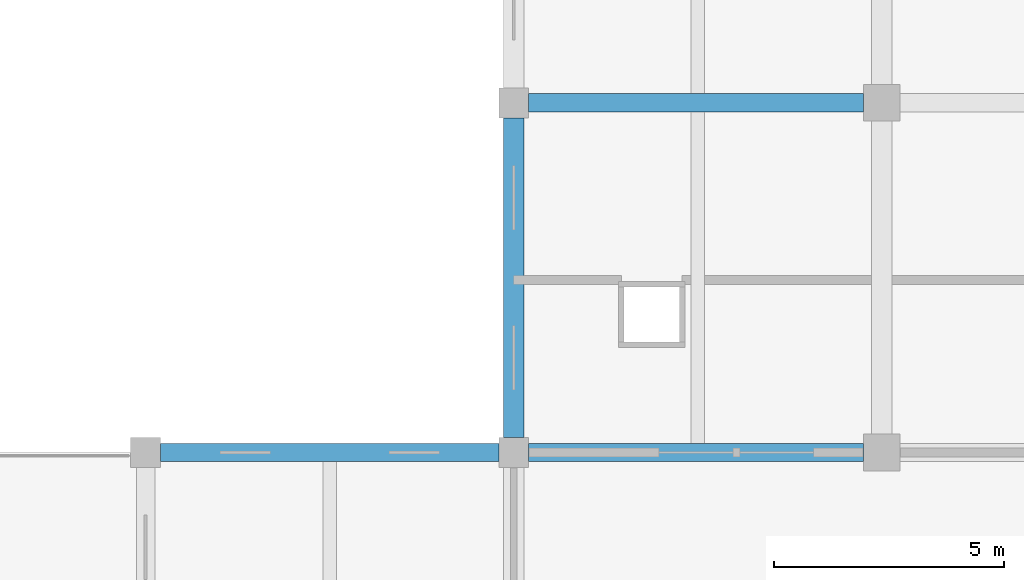
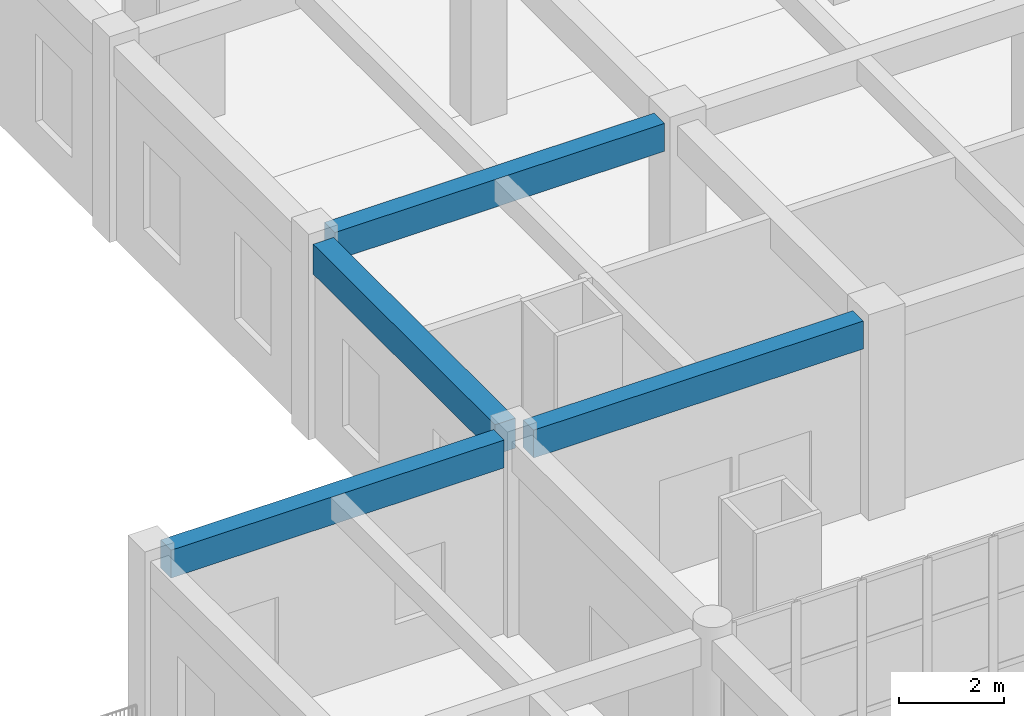
# One storey, part 33 of 101: 4 beams.
"""IFC4 building model written with IfcOpenShell, lengths in metres."""

from ifc_helpers import new_model, si_unit, direction, frame, origin, origin_2d, place, context, subcontext, project, spatial, rectangle, extrude, material, material_profile, profile_set, type_object, element, save


model = new_model("IFC4")

# Units and contexts
model_context = context("Model", 3, precision=1e-05, world=origin(), true_north=direction((0.0, 1.0)))
body_context = subcontext(model_context, "Body", "Model", "MODEL_VIEW")
ifc_project = project(units=[si_unit("LENGTHUNIT", "METRE"), si_unit("AREAUNIT", "SQUARE_METRE"), si_unit("VOLUMEUNIT", "CUBIC_METRE"), si_unit("PLANEANGLEUNIT", "RADIAN"), si_unit("MASSUNIT", "GRAM", prefix="KILO")], contexts=[model_context])

# Site, building, storey
site_placement = place(None, origin())
site = spatial("IfcSite", under=ifc_project, at=site_placement, CompositionType="ELEMENT")
building_placement = place(site_placement, origin())
building = spatial("IfcBuilding", under=site, at=building_placement, Name="Zantavel Square City Hall", CompositionType="ELEMENT")
storey_placement = place(building_placement, frame((0.0, 0.0, 5.39990234375)))
storey = spatial("IfcBuildingStorey", under=building, at=storey_placement, Name="L02", CompositionType="ELEMENT", Elevation=5.39990234375)

# Beams
ifc_material = material(Name="Concrete C35/45", Category="concrete")
ifc_material_profile_1 = material_profile(ifc_material, rectangle(XDim=0.39990234375, YDim=0.64990234375, at=origin_2d()), Name="RC 400x650")
ifc_profile_set_1 = profile_set([ifc_material_profile_1], Name="Concrete C35/45")
beam_type_1 = type_object("IfcBeamType", Name="Frame Beam RC 400x650 C35/45", PredefinedType="BEAM", material=ifc_profile_set_1)
beam_1_placement = place(storey_placement, frame((8.324951171875, 76.0, 4.215087890625), z_axis=(1.0, 0.0, 0.0), x_axis=(0.0, 1.0, 0.0)))
element("IfcBeam", 1, at=beam_1_placement, inside=storey, type_object=beam_type_1, Name="L02 Girder BMX-L02-0080-0760", PredefinedType="BEAM", context=body_context, shape_type="SweptSolid", body=[
    extrude(rectangle(XDim=0.39990234375, YDim=0.64990234375, at=origin_2d()), origin(), (0.0, 0.0, 1.0), 7.35009765625),
])
for number, where, z_axis, x_axis, name in (
    (2, (16.324951171875, 76.0, 4.215087890625), (1.0, 0.0, 0.0), (0.0, 1.0, 0.0), "L02 Girder BMX-L02-0160-0760"),
    (3, (16.324951171875, 83.60009765625, 4.215087890625), (1.0, 0.0, 0.0), (0.0, 1.0, 0.0), "L02 Girder BMX-L02-0160-0836"),
):
    element("IfcBeam", number, at=place(storey_placement, frame(where, z_axis=z_axis, x_axis=x_axis)), inside=storey, type_object=beam_type_1, Name=name, PredefinedType="BEAM", context=body_context, shape_type="SweptSolid", body=[
        extrude(rectangle(XDim=0.39990234375, YDim=0.64990234375, at=origin_2d()), origin(), (0.0, 0.0, 1.0), 7.275146484375),
    ])
ifc_material_profile_2 = material_profile(ifc_material, rectangle(XDim=0.449951171875, YDim=0.699951171875, at=origin_2d()), Name="RC 450x700")
ifc_profile_set_2 = profile_set([ifc_material_profile_2], Name="Concrete C35/45")
beam_type_2 = type_object("IfcBeamType", Name="Primary Girder RC 450x700 C35/45", PredefinedType="BEAM", material=ifc_profile_set_2)
beam_2_placement = place(storey_placement, frame((16.0, 76.324951171875, 4.190185546875), z_axis=(0.0, 1.0, 0.0), x_axis=(-1.0, 0.0, 0.0)))
element("IfcBeam", 4, at=beam_2_placement, inside=storey, type_object=beam_type_2, Name="L02 Beam BMY-L02-0160-0760", PredefinedType="BEAM", context=body_context, shape_type="SweptSolid", body=[
    extrude(rectangle(XDim=0.449951171875, YDim=0.699951171875, at=origin_2d()), origin(), (0.0, 0.0, 1.0), 6.949951171875),
])

save(model, "model.ifc")
